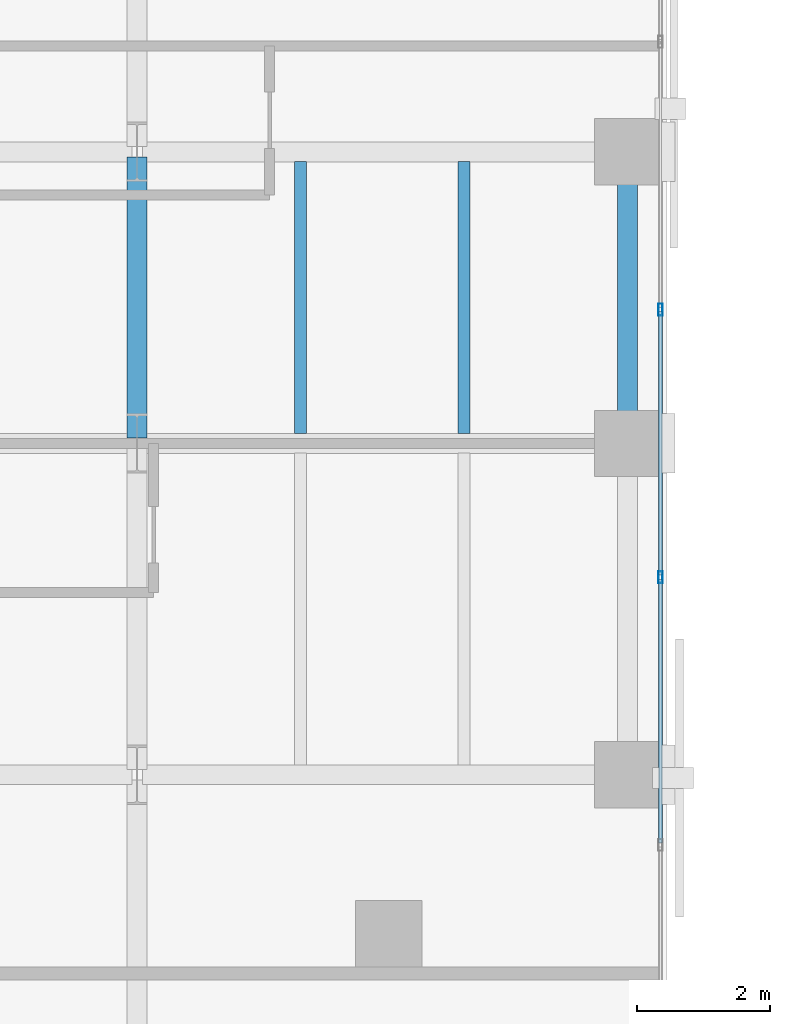
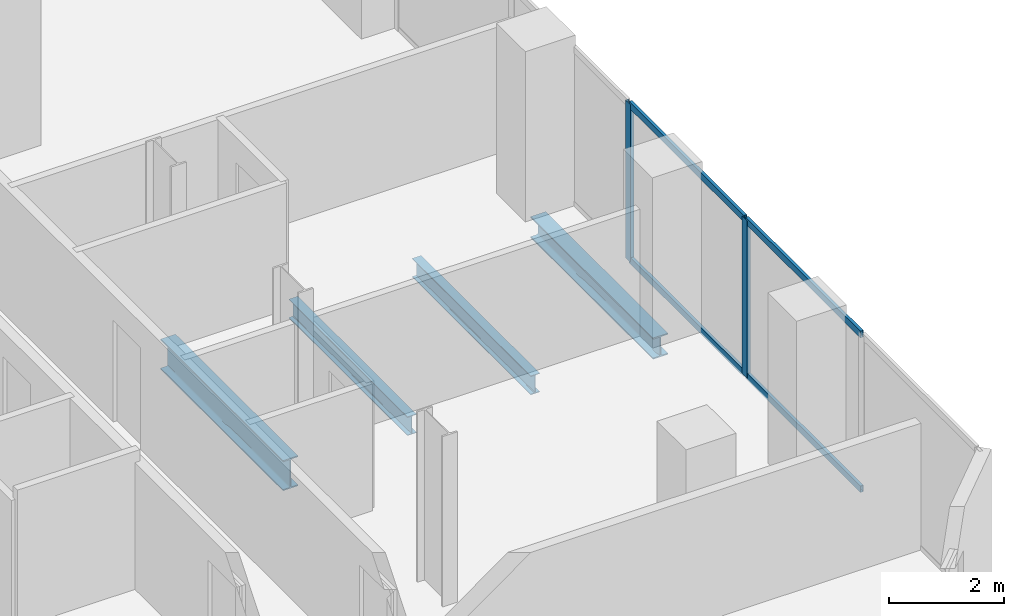
# One storey, part 7 of 31: 6 members, 4 beams, 1 element without a shape of its own.
"""IFC4 building model written with IfcOpenShell, lengths in metres."""

from ifc_helpers import new_model, si_unit, direction, frame, origin, origin_2d, place, context, subcontext, project, spatial, hollow_rectangle, i_section, extrude, material, layer, layer_set, material_profile, profile_set, type_object, element, aggregate, save


model = new_model("IFC4")

# Units and contexts
model_context = context("Model", 3, precision=1e-05, world=origin(), true_north=direction((0.0, 1.0)))
body_context = subcontext(model_context, "Body", "Model", "MODEL_VIEW")
ifc_project = project(units=[si_unit("LENGTHUNIT", "METRE"), si_unit("AREAUNIT", "SQUARE_METRE"), si_unit("VOLUMEUNIT", "CUBIC_METRE"), si_unit("PLANEANGLEUNIT", "RADIAN"), si_unit("MASSUNIT", "GRAM", prefix="KILO")], contexts=[model_context])

# Site, building, storey
site_placement = place(None, origin())
site = spatial("IfcSite", under=ifc_project, at=site_placement, CompositionType="ELEMENT")
building_placement = place(site_placement, origin())
building = spatial("IfcBuilding", under=site, at=building_placement, Name="Catumbela Crestline Tower", CompositionType="ELEMENT")
storey_placement = place(building_placement, frame((0.0, 0.0, 25.8)))
storey = spatial("IfcBuildingStorey", under=building, at=storey_placement, Name="L05", CompositionType="ELEMENT", Elevation=25.8)

# Beams
ifc_material_1 = material(Name="Structural steel S355J2", Category="steel")
ifc_material_profile_1 = material_profile(ifc_material_1, i_section(OverallWidth=0.3, OverallDepth=0.64, WebThickness=0.0135, FlangeThickness=0.026, FilletRadius=0.027, at=origin_2d()), Name="HEA 650")
ifc_profile_set_1 = profile_set([ifc_material_profile_1], Name="Structural steel S355J2")
beam_type_1 = type_object("IfcBeamType", Name="BG-HEA650", PredefinedType="BEAM", material=ifc_profile_set_1)
beam_1_placement = place(storey_placement, frame((16.0, 13.68, -0.58), z_axis=(0.0, 1.0, 0.0), x_axis=(-1.0, 0.0, 0.0)))
element("IfcBeam", 1, at=beam_1_placement, inside=storey, type_object=beam_type_1, Name="L05 Beam BM-L05-WNS66", PredefinedType="BEAM", context=body_context, shape_type="SweptSolid", body=[
    extrude(i_section(OverallWidth=0.3, OverallDepth=0.64, WebThickness=0.0135, FlangeThickness=0.026, FilletRadius=0.027, at=origin_2d()), origin(), (0.0, 0.0, 1.0), 4.24),
])
ifc_material_profile_2 = material_profile(ifc_material_1, i_section(OverallWidth=0.18, OverallDepth=0.4, WebThickness=0.0086, FlangeThickness=0.0135, FilletRadius=0.021, at=origin_2d()), Name="IPE 400")
ifc_profile_set_2 = profile_set([ifc_material_profile_2], Name="Structural steel S355J2")
beam_type_2 = type_object("IfcBeamType", Name="BJ-IPE400", PredefinedType="JOIST", material=ifc_profile_set_2)
for number, where, z_axis, x_axis, name in (
    (2, (18.467, 13.747, -0.46), (0.0, 1.0, 0.0), (-1.0, 0.0, 0.0), "L05 Joist JS-L05-WG80"),
    (3, (20.933, 13.747, -0.46), (0.0, 1.0, 0.0), (-1.0, 0.0, 0.0), "L05 Joist JS-L05-WG81"),
):
    element("IfcBeam", number, at=place(storey_placement, frame(where, z_axis=z_axis, x_axis=x_axis)), inside=storey, type_object=beam_type_2, Name=name, PredefinedType="JOIST", context=body_context, shape_type="SweptSolid", body=[
        extrude(i_section(OverallWidth=0.18, OverallDepth=0.4, WebThickness=0.0086, FlangeThickness=0.0135, FilletRadius=0.021, at=origin_2d()), origin(), (0.0, 0.0, 1.0), 4.106),
    ])

# Curtain wall, members
ifc_material_2 = material(Name="Aluminium alloy AW-6060-T66", Category="aluminium")
ifc_layer = layer(ifc_material_2, 0.18, Name="Aluminium alloy AW-6060-T66")
ifc_layer_set = layer_set([ifc_layer], Name="Aluminium alloy AW-6060-T66")
curtain_wall_type = type_object("IfcCurtainWallType", Name="CWU-Z1", PredefinedType="USERDEFINED", material=ifc_layer_set)
curtain_wall_placement = place(storey_placement, origin())
curtain_wall = element("IfcCurtainWall", 4, at=curtain_wall_placement, inside=storey, type_object=curtain_wall_type, Name="L05 Unitised Curtain Wall CW-L05-E2S1", ObjectType="UNITISED", PredefinedType="USERDEFINED")
ifc_material_profile_3 = material_profile(ifc_material_2, hollow_rectangle(XDim=0.065, YDim=0.18, WallThickness=0.004, at=origin_2d()), Name="ALU 180x65x4")
ifc_profile_set_3 = profile_set([ifc_material_profile_3], Name="Aluminium alloy AW-6060-T66")
member_type_1 = type_object("IfcMemberType", Name="MUL-180X65", PredefinedType="MULLION", material=ifc_profile_set_3)
member_1_placement = place(storey_placement, frame((23.9, 11.58, 0.0), z_axis=(0.0, 0.0, 1.0), x_axis=(-1.0, 0.0, 0.0)))
member_1 = element("IfcMember", 5, at=member_1_placement, type_object=member_type_1, Name="CWU-Z1 mullion 3", PredefinedType="MULLION", context=body_context, shape_type="SweptSolid", body=[
    extrude(hollow_rectangle(XDim=0.065, YDim=0.18, WallThickness=0.004, at=origin_2d()), origin(), (0.0, 0.0, 1.0), 3.33),
])
member_2_placement = place(storey_placement, frame((23.9, 15.62, 0.0), z_axis=(0.0, 0.0, 1.0), x_axis=(-1.0, 0.0, 0.0)))
member_2 = element("IfcMember", 6, at=member_2_placement, type_object=member_type_1, Name="CWU-Z1 mullion 4", PredefinedType="MULLION", context=body_context, shape_type="SweptSolid", body=[
    extrude(hollow_rectangle(XDim=0.065, YDim=0.18, WallThickness=0.004, at=origin_2d()), origin(), (0.0, 0.0, 1.0), 3.33),
])

# Beam
ifc_material_profile_4 = material_profile(ifc_material_1, i_section(OverallWidth=0.3, OverallDepth=0.45, WebThickness=0.014, FlangeThickness=0.026, FilletRadius=0.027, at=origin_2d()), Name="HEB 450")
ifc_profile_set_4 = profile_set([ifc_material_profile_4], Name="Structural steel S355J2")
beam_type_3 = type_object("IfcBeamType", Name="BS-HEB450", PredefinedType="SPANDREL", material=ifc_profile_set_4)
beam_2_placement = place(storey_placement, frame((23.4, 13.68, -0.485), z_axis=(0.0, 1.0, 0.0), x_axis=(-1.0, 0.0, 0.0)))
element("IfcBeam", 7, at=beam_2_placement, inside=storey, type_object=beam_type_3, Name="L05 Spandrel SP-L05-WNS69", PredefinedType="SPANDREL", context=body_context, shape_type="SweptSolid", body=[
    extrude(i_section(OverallWidth=0.3, OverallDepth=0.45, WebThickness=0.014, FlangeThickness=0.026, FilletRadius=0.027, at=origin_2d()), origin(), (0.0, 0.0, 1.0), 4.24),
])

# Member
ifc_material_profile_5 = material_profile(ifc_material_2, hollow_rectangle(XDim=0.06, YDim=0.14, WallThickness=0.004, at=origin_2d()), Name="ALU 140x60x4")
ifc_profile_set_5 = profile_set([ifc_material_profile_5], Name="Aluminium alloy AW-6060-T66")
member_type_2 = type_object("IfcMemberType", Name="TRN-140X60", PredefinedType="USERDEFINED", material=ifc_profile_set_5)
member_3_placement = place(storey_placement, frame((23.9, 7.5725, 0.03), z_axis=(0.0, 1.0, 0.0), x_axis=(-1.0, 0.0, 0.0)))
member_3 = element("IfcMember", 8, at=member_3_placement, type_object=member_type_2, Name="CWU-Z1 transom 2.1", ObjectType="TRANSOM", PredefinedType="USERDEFINED", context=body_context, shape_type="SweptSolid", body=[
    extrude(hollow_rectangle(XDim=0.06, YDim=0.14, WallThickness=0.004, at=origin_2d()), origin(), (0.0, 0.0, 1.0), 3.975),
])

member_4_placement = place(storey_placement, frame((23.9, 7.5725, 3.3), z_axis=(0.0, 1.0, 0.0), x_axis=(-1.0, 0.0, 0.0)))
member_4 = element("IfcMember", 9, at=member_4_placement, type_object=member_type_2, Name="CWU-Z1 transom 2.2", ObjectType="TRANSOM", PredefinedType="USERDEFINED", context=body_context, shape_type="SweptSolid", body=[
    extrude(hollow_rectangle(XDim=0.06, YDim=0.14, WallThickness=0.004, at=origin_2d()), origin(), (0.0, 0.0, 1.0), 3.975),
])

member_5_placement = place(storey_placement, frame((23.9, 11.6125, 0.03), z_axis=(0.0, 1.0, 0.0), x_axis=(-1.0, 0.0, 0.0)))
member_5 = element("IfcMember", 10, at=member_5_placement, type_object=member_type_2, Name="CWU-Z1 transom 3.1", ObjectType="TRANSOM", PredefinedType="USERDEFINED", context=body_context, shape_type="SweptSolid", body=[
    extrude(hollow_rectangle(XDim=0.06, YDim=0.14, WallThickness=0.004, at=origin_2d()), origin(), (0.0, 0.0, 1.0), 3.975),
])

member_6_placement = place(storey_placement, frame((23.9, 11.6125, 3.3), z_axis=(0.0, 1.0, 0.0), x_axis=(-1.0, 0.0, 0.0)))
member_6 = element("IfcMember", 11, at=member_6_placement, type_object=member_type_2, Name="CWU-Z1 transom 3.2", ObjectType="TRANSOM", PredefinedType="USERDEFINED", context=body_context, shape_type="SweptSolid", body=[
    extrude(hollow_rectangle(XDim=0.06, YDim=0.14, WallThickness=0.004, at=origin_2d()), origin(), (0.0, 0.0, 1.0), 3.975),
])

aggregate(curtain_wall, [member_1, member_2, member_3, member_4, member_5, member_6])

save(model, "model.ifc")
